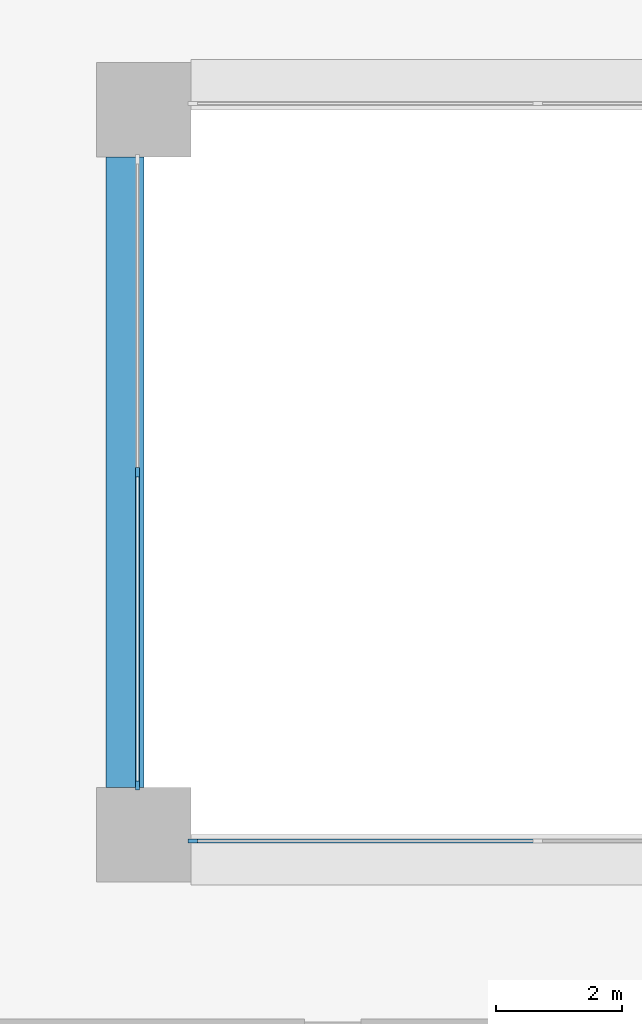
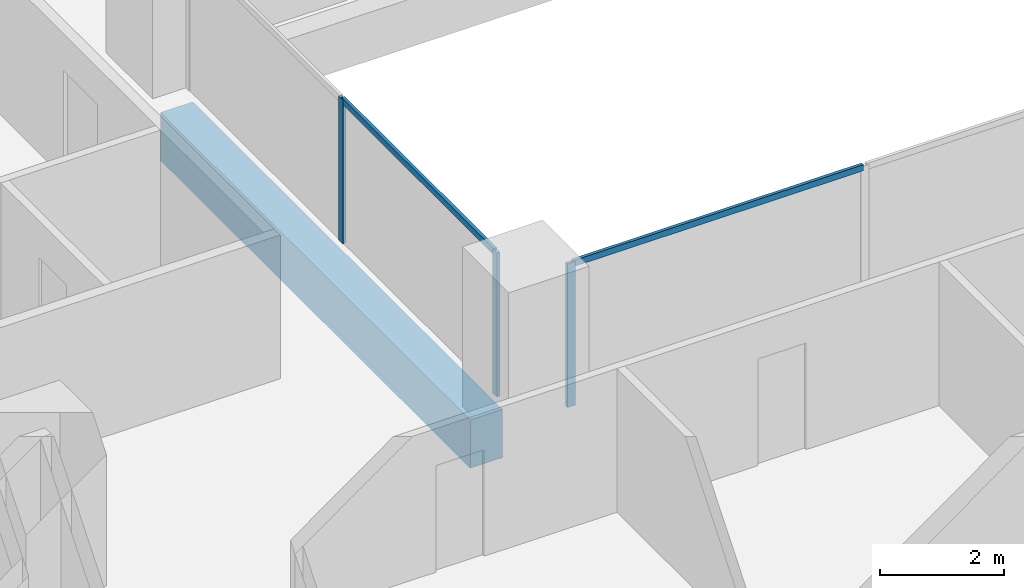
# One storey, part 2 of 19: 5 members, 1 beam, 2 elements without a shape of their own.
"""IFC4 building model written with IfcOpenShell, lengths in metres."""

from ifc_helpers import new_model, si_unit, direction, frame, origin, origin_2d, place, context, subcontext, project, spatial, rectangle, extrude, material, layer, layer_set, material_profile, profile_set, type_object, element, aggregate, save


model = new_model("IFC4")

# Units and contexts
model_context = context("Model", 3, precision=1e-05, world=origin(), true_north=direction((0.0, 1.0)))
body_context = subcontext(model_context, "Body", "Model", "MODEL_VIEW")
ifc_project = project(units=[si_unit("LENGTHUNIT", "METRE"), si_unit("AREAUNIT", "SQUARE_METRE"), si_unit("VOLUMEUNIT", "CUBIC_METRE"), si_unit("PLANEANGLEUNIT", "RADIAN"), si_unit("MASSUNIT", "GRAM", prefix="KILO")], contexts=[model_context])

# Site, building, storey
site_placement = place(None, origin())
site = spatial("IfcSite", under=ifc_project, at=site_placement, CompositionType="ELEMENT")
building_placement = place(site_placement, origin())
building = spatial("IfcBuilding", under=site, at=building_placement, Name="Brigalow Station Residences", CompositionType="ELEMENT")
storey_placement = place(building_placement, frame((0.0, 0.0, 22.64990234375)))
storey = spatial("IfcBuildingStorey", under=building, at=storey_placement, Name="L05", CompositionType="ELEMENT", Elevation=22.64990234375)

# Beam
ifc_material_1 = material(Name="Concrete C65", Category="concrete")
ifc_material_profile_1 = material_profile(ifc_material_1, rectangle(XDim=0.60009765625, YDim=0.949951171875, at=origin_2d()), Name="RC600x950")
ifc_profile_set_1 = profile_set([ifc_material_profile_1], Name="Concrete C65")
beam_type = type_object("IfcBeamType", Name="ATRIUM EDGE GIRDER 600x950 C65", PredefinedType="BEAM", material=ifc_profile_set_1)
beam_placement = place(storey_placement, frame((26.699951171875, 24.75, -0.794921875), z_axis=(0.0, 1.0, 0.0), x_axis=(-1.0, 0.0, 0.0)))
element("IfcBeam", 1, at=beam_placement, inside=storey, type_object=beam_type, Name="ATRIUM EDGE GIRDER 3 L05", PredefinedType="BEAM", context=body_context, shape_type="SweptSolid", body=[
    extrude(rectangle(XDim=0.60009765625, YDim=0.949951171875, at=origin_2d()), origin(), (0.0, 0.0, 1.0), 10.0),
])

# Curtain wall, member
ifc_material_2 = material(Name="Aluminium", Category="aluminium")
ifc_layer = layer(ifc_material_2, 0.14990234375)
ifc_layer_set = layer_set([ifc_layer], Name="ATRIUM FIRE-RATED GLAZING CURTAIN WALL")
curtain_wall_type = type_object("IfcCurtainWallType", Name="ATRIUM FIRE-RATED GLAZING CURTAIN WALL", PredefinedType="NOTDEFINED", material=ifc_layer_set)
curtain_wall_1_placement = place(storey_placement, origin())
curtain_wall_1 = element("IfcCurtainWall", 2, at=curtain_wall_1_placement, inside=storey, type_object=curtain_wall_type, Name="L05/cw/atrium-S", PredefinedType="NOTDEFINED")
ifc_material_3 = material(Name="Aluminium", Category="aluminium")
ifc_material_profile_2 = material_profile(ifc_material_3, rectangle(XDim=0.06005859375, YDim=0.14990234375, at=origin_2d()), Name="ATRIUM FIRE-RATED GLAZING MULLION 60x150")
ifc_profile_set_2 = profile_set([ifc_material_profile_2], Name="Aluminium")
member_type_1 = type_object("IfcMemberType", Name="ATRIUM FIRE-RATED GLAZING MULLION 60x150", PredefinedType="MULLION", material=ifc_profile_set_2)
member_1_placement = place(storey_placement, frame((27.780029296875, 23.89990234375, 0.0), z_axis=(0.0, 0.0, 1.0), x_axis=(0.0, 1.0, 0.0)))
member_1 = element("IfcMember", 3, at=member_1_placement, type_object=member_type_1, Name="L05/cw/atrium-S/M00", PredefinedType="MULLION", context=body_context, shape_type="SweptSolid", body=[
    extrude(rectangle(XDim=0.06005859375, YDim=0.14990234375, at=origin_2d()), origin(), (0.0, 0.0, 1.0), 2.830078125),
])

# Curtain wall, members
curtain_wall_2_placement = place(storey_placement, origin())
curtain_wall_2 = element("IfcCurtainWall", 4, at=curtain_wall_2_placement, inside=storey, type_object=curtain_wall_type, Name="L05/cw/atrium-W", PredefinedType="NOTDEFINED")
member_2_placement = place(storey_placement, frame((26.89990234375, 29.75, 0.0), z_axis=(0.0, 0.0, 1.0), x_axis=(1.0, 0.0, 0.0)))
member_2 = element("IfcMember", 5, at=member_2_placement, type_object=member_type_1, Name="L05/cw/atrium-W/M01", PredefinedType="MULLION", context=body_context, shape_type="SweptSolid", body=[
    extrude(rectangle(XDim=0.06005859375, YDim=0.14990234375, at=origin_2d()), origin(), (0.0, 0.0, 1.0), 2.830078125),
])
member_3_placement = place(storey_placement, frame((26.89990234375, 24.780029296875, 0.0), z_axis=(0.0, 0.0, 1.0), x_axis=(1.0, 0.0, 0.0)))
member_3 = element("IfcMember", 6, at=member_3_placement, type_object=member_type_1, Name="L05/cw/atrium-W/M02", PredefinedType="MULLION", context=body_context, shape_type="SweptSolid", body=[
    extrude(rectangle(XDim=0.06005859375, YDim=0.14990234375, at=origin_2d()), origin(), (0.0, 0.0, 1.0), 2.830078125),
])

# Member
ifc_material_4 = material(Name="Aluminium", Category="aluminium")
ifc_material_profile_3 = material_profile(ifc_material_4, rectangle(XDim=0.06005859375, YDim=0.1201171875, at=origin_2d()), Name="ATRIUM FIRE-RATED GLAZING TRANSOM 60x120")
ifc_profile_set_3 = profile_set([ifc_material_profile_3], Name="Aluminium")
member_type_2 = type_object("IfcMemberType", Name="ATRIUM FIRE-RATED GLAZING TRANSOM 60x120", PredefinedType="USERDEFINED", material=ifc_profile_set_3)
member_4_placement = place(storey_placement, frame((27.81005859375, 23.89990234375, 2.800048828125), z_axis=(1.0, 0.0, 0.0), x_axis=(0.0, 1.0, 0.0)))
member_4 = element("IfcMember", 7, at=member_4_placement, type_object=member_type_2, Name="L05/cw/atrium-S/T00-00", ObjectType="TRANSOM", PredefinedType="USERDEFINED", context=body_context, shape_type="SweptSolid", body=[
    extrude(rectangle(XDim=0.06005859375, YDim=0.1201171875, at=origin_2d()), origin(), (0.0, 0.0, 1.0), 5.409912109375),
])

aggregate(curtain_wall_1, [member_1, member_4])

member_5_placement = place(storey_placement, frame((26.89990234375, 29.719970703125, 2.800048828125), z_axis=(0.0, -1.0, 0.0), x_axis=(1.0, 0.0, 0.0)))
member_5 = element("IfcMember", 8, at=member_5_placement, type_object=member_type_2, Name="L05/cw/atrium-W/T01-00", ObjectType="TRANSOM", PredefinedType="USERDEFINED", context=body_context, shape_type="SweptSolid", body=[
    extrude(rectangle(XDim=0.06005859375, YDim=0.1201171875, at=origin_2d()), origin(), (0.0, 0.0, 1.0), 4.909912109375),
])

aggregate(curtain_wall_2, [member_2, member_3, member_5])

save(model, "model.ifc")
